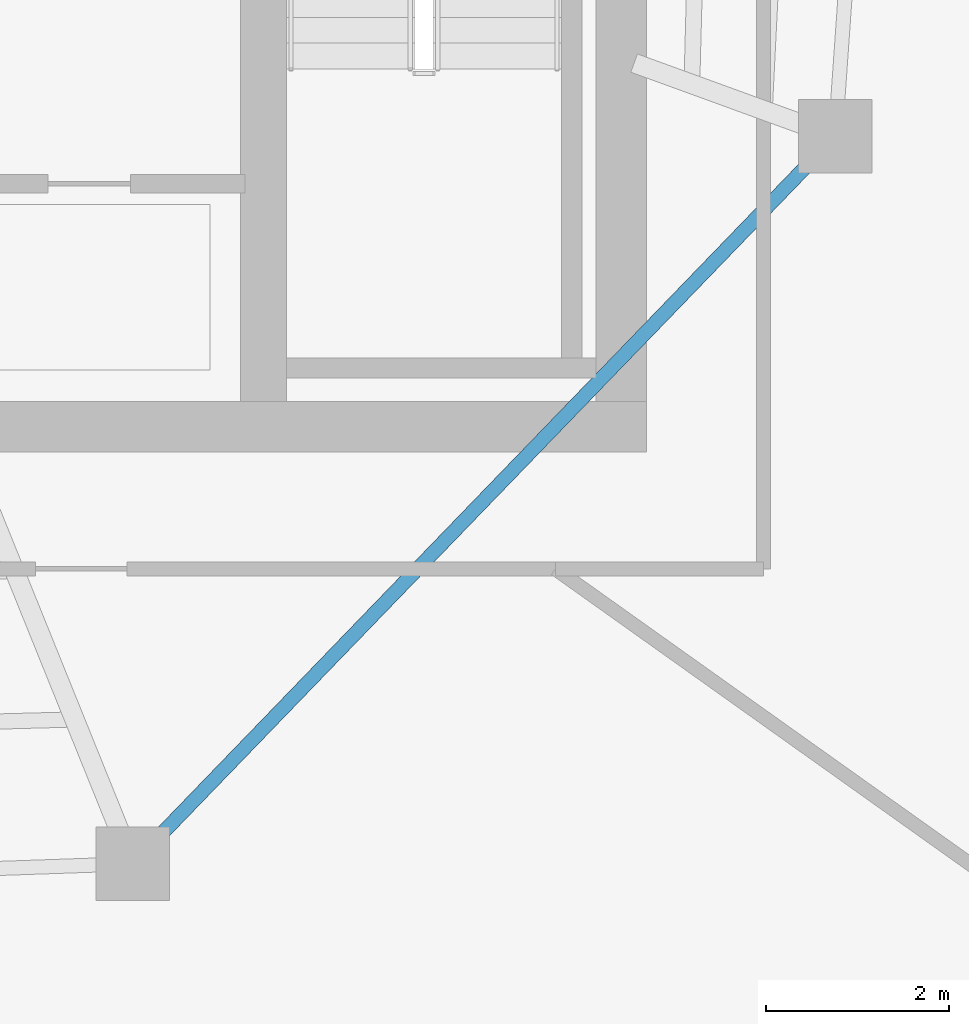
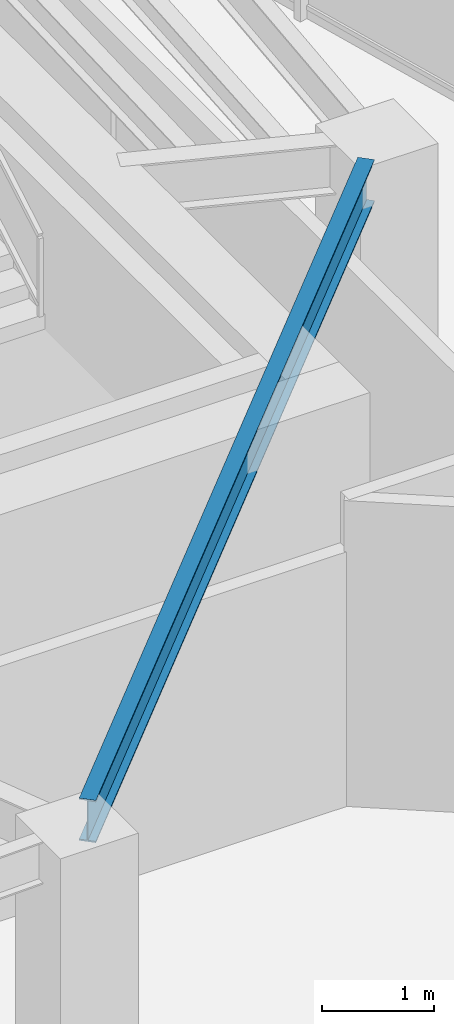
# One storey, part 5 of 18: 1 beam.
"""IFC4 building model written with IfcOpenShell, lengths in metres."""

from ifc_helpers import new_model, si_unit, direction, frame, origin, origin_2d, place, context, subcontext, project, spatial, i_section, extrude, material, material_profile, profile_set, type_object, element, save


model = new_model("IFC4")

# Units and contexts
model_context = context("Model", 3, precision=1e-05, world=origin(), true_north=direction((0.0, 1.0)))
body_context = subcontext(model_context, "Body", "Model", "MODEL_VIEW")
ifc_project = project(units=[si_unit("LENGTHUNIT", "METRE"), si_unit("AREAUNIT", "SQUARE_METRE"), si_unit("VOLUMEUNIT", "CUBIC_METRE"), si_unit("PLANEANGLEUNIT", "RADIAN"), si_unit("MASSUNIT", "GRAM", prefix="KILO")], contexts=[model_context])

# Site, building, storey
site_placement = place(None, origin())
site = spatial("IfcSite", under=ifc_project, at=site_placement, CompositionType="ELEMENT")
building_placement = place(site_placement, origin())
building = spatial("IfcBuilding", under=site, at=building_placement, Name="Qarnah Convention Tower", CompositionType="ELEMENT")
storey_placement = place(building_placement, frame((0.0, 0.0, 239.10009765625)))
storey = spatial("IfcBuildingStorey", under=building, at=storey_placement, Name="L64", CompositionType="ELEMENT", Elevation=239.10009765625)

# Beam
ifc_material = material(Name="Structural steel S355JR", Category="steel")
ifc_material_profile = material_profile(ifc_material, i_section(OverallWidth=0.154052734375, OverallDepth=0.4599609375, WebThickness=0.009033203125, FlangeThickness=0.014892578125, at=origin_2d()), Name="W460X68")
ifc_profile_set = profile_set([ifc_material_profile], Name="Structural steel S355JR")
beam_type = type_object("IfcBeamType", Name="BM-SPN-W460B", PredefinedType="SPANDREL", material=ifc_profile_set)
beam_placement = place(storey_placement, frame((42.547119140625, 14.117919921875, 3.08984375), z_axis=(0.694687671008, 0.719311503974, 0.0), x_axis=(-0.719311503974, 0.694687671008, 0.0)))
element("IfcBeam", 1, at=beam_placement, inside=storey, type_object=beam_type, Name="L64 spandrel BM-L64-SPN-08", PredefinedType="SPANDREL", context=body_context, shape_type="SweptSolid", body=[
    extrude(i_section(OverallWidth=0.154052734375, OverallDepth=0.4599609375, WebThickness=0.009033203125, FlangeThickness=0.014892578125, at=origin_2d()), origin(), (0.0, 0.0, 1.0), 10.241943359375),
])

save(model, "model.ifc")
